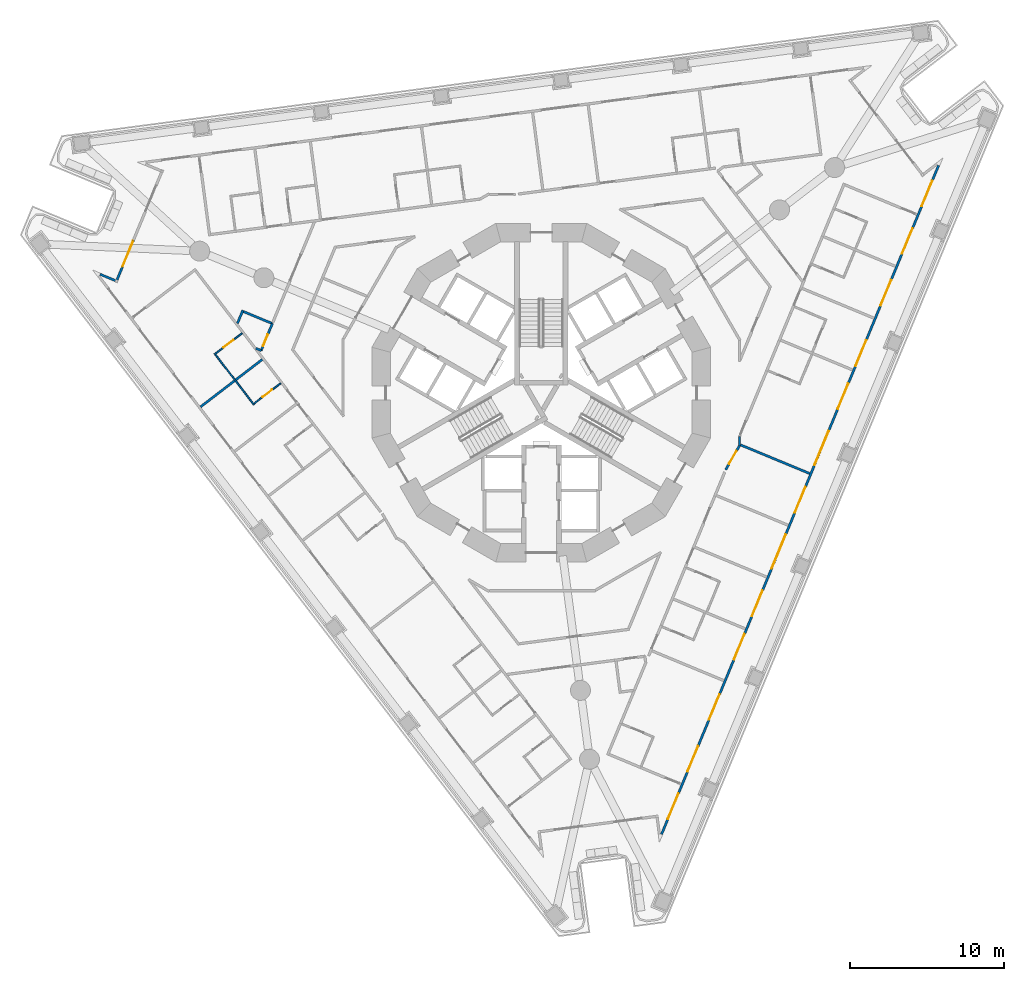
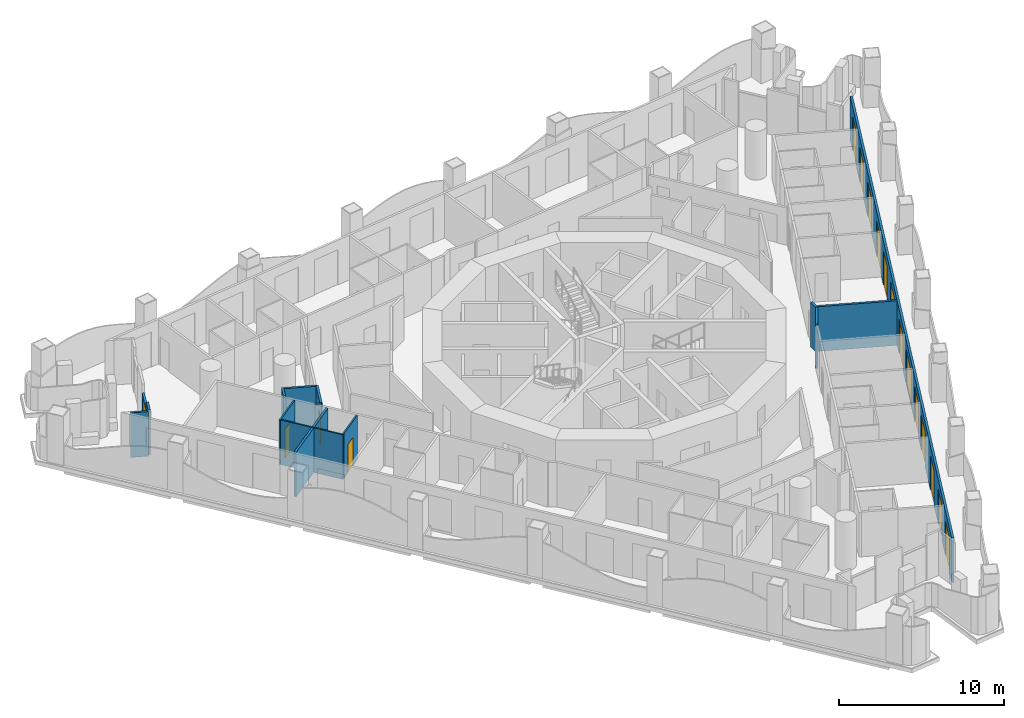
# One storey, part 5 of 19: 16 doors, 16 walls, 2 windows, 18 openings.
"""IFC4 building model written with IfcOpenShell, lengths in metres."""

from ifc_helpers import new_model, si_unit, direction, frame, frame_2d, origin, place, context, subcontext, project, spatial, polyline, rectangle, outline, extrude, material, layer, layer_set, type_object, element, fill, save


model = new_model("IFC4")

# Units and contexts
model_context = context("Model", 3, precision=1e-05, world=origin(), true_north=direction((0.0, 1.0)))
body_context = subcontext(model_context, "Body", "Model", "MODEL_VIEW")
ifc_project = project(units=[si_unit("LENGTHUNIT", "METRE"), si_unit("AREAUNIT", "SQUARE_METRE"), si_unit("VOLUMEUNIT", "CUBIC_METRE"), si_unit("PLANEANGLEUNIT", "RADIAN"), si_unit("MASSUNIT", "GRAM", prefix="KILO")], contexts=[model_context])

# Site, building, storey
site_placement = place(None, origin())
site = spatial("IfcSite", under=ifc_project, at=site_placement, CompositionType="ELEMENT")
building_placement = place(site_placement, origin())
building = spatial("IfcBuilding", under=site, at=building_placement, Name="Trine Commons Tower", CompositionType="ELEMENT")
storey_placement = place(building_placement, frame((0.0, 0.0, 61.199951171875)))
storey = spatial("IfcBuildingStorey", under=building, at=storey_placement, Name="L14", CompositionType="ELEMENT", Elevation=61.199951171875)

# Walls
ifc_material_1 = material(Name="Aluminium-framed insulated wall panel", Category="aluminium")
ifc_layer_1 = layer(ifc_material_1, 0.14990234375)
ifc_layer_set_1 = layer_set([ifc_layer_1], Name="Aluminium-framed insulated wall panel")
wall_type_1 = type_object("IfcWallType", Name="Glazed frame wall 150, EI 60", PredefinedType="SOLIDWALL", material=ifc_layer_set_1)
wall_1_placement = place(storey_placement, frame((51.175537109375, 70.256103515625, 0.0), z_axis=(0.0, 0.0, 1.0), x_axis=(0.923901801611, -0.382629665579, 0.0)))
element("IfcWall", 1, at=wall_1_placement, inside=storey, type_object=wall_type_1, Name="Glazed frame wall R1", PredefinedType="SOLIDWALL", context=body_context, shape_type="SweptSolid", body=[
    extrude(outline(polyline([(0.1494140625, 0.074951171875), (0.1494140625, -0.074951171875), (1.235107421875, -0.074951171875), (1.235107421875, 0.074951171875), (0.1494140625, 0.074951171875)])), origin(), (0.0, 0.0, 1.0), 3.300048828125),
])
wall_2_placement = place(storey_placement, frame((52.372314453125, 69.722412109375, 0.0), z_axis=(0.0, 0.0, 1.0), x_axis=(0.382603377961, 0.923912688068, 0.0)))
element("IfcWall", 2, at=wall_2_placement, inside=storey, type_object=wall_type_1, Name="Glazed frame wall P1.1", PredefinedType="SOLIDWALL", context=body_context, shape_type="SweptSolid", body=[
    extrude(outline(polyline([(0.110107421875, -0.074951171875), (1.0, -0.074951171875), (1.0, 0.074951171875), (0.110107421875, 0.074951171875), (0.110107421875, -0.074951171875)])), origin(), (0.0, 0.0, 1.0), 3.300048828125),
])

# Wall, opening, door
wall_3_placement = place(storey_placement, frame((52.7548828125, 70.646240234375, 0.0), z_axis=(0.0, 0.0, 1.0), x_axis=(0.382771661121, 0.923842982028, 0.0)))
wall_3 = element("IfcWall", 3, at=wall_3_placement, inside=storey, type_object=wall_type_1, Name="Glazed frame wall P1.2", PredefinedType="SOLIDWALL", context=body_context, shape_type="SweptSolid", body=[
    extrude(outline(polyline([(0.0, -0.074951171875), (1.89990234375, -0.074951171875), (1.89990234375, 0.074951171875), (0.0, 0.074951171875), (0.0, -0.074951171875)])), origin(), (0.0, 0.0, 1.0), 2.650146484375),
])
opening_1_placement = place(wall_3_placement, frame((0.050048828125, 0.0, 0.0)))
opening_1 = element("IfcOpeningElement", 4, at=opening_1_placement, cuts=wall_3, Name="Opening BD-2P1-01", PredefinedType="OPENING", context=body_context, shape_type="SweptSolid", body=[
    extrude(rectangle(XDim=1.800048828125, YDim=2.60009765625, at=frame_2d((0.89990234375, 1.300048828125))), frame((0.0, 0.0849609375, 0.0), z_axis=(0.0, -1.0, 0.0), x_axis=(1.0, 0.0, 0.0)), (0.0, 0.0, 1.0), 0.169921875),
])
ifc_material_2 = material(Name="Anodised aluminium frame with double glazing", Category="aluminium")
door_type_1 = type_object("IfcDoorType", Name="Sliding loggia door 1800x2600", OperationType="SLIDING_TO_LEFT", PredefinedType="DOOR", material=ifc_material_2)
door_1_placement = place(opening_1_placement, origin())
door_1 = element("IfcDoor", 5, at=door_1_placement, inside=storey, type_object=door_type_1, Name="Loggia door P1 1", OperationType="SLIDING_TO_LEFT", OverallHeight=2.60009765625, OverallWidth=1.800048828125, PredefinedType="DOOR", context=body_context, shape_type="SweptSolid", body=[
    extrude(rectangle(XDim=1.800048828125, YDim=2.60009765625, at=frame_2d((0.89990234375, 1.300048828125))), frame((0.0, 0.02490234375, 0.0), z_axis=(0.0, -1.0, 0.0), x_axis=(1.0, 0.0, 0.0)), (0.0, 0.0, 1.0), 0.050048828125),
])
fill(opening_1, door_1)

# Wall, openings, windows, doors
wall_4_placement = place(storey_placement, frame((105.888671875, 77.410888671875, 0.0), z_axis=(0.0, 0.0, 1.0), x_axis=(-0.38268395344, -0.923879316675, 0.0)))
wall_4 = element("IfcWall", 6, at=wall_4_placement, inside=storey, type_object=wall_type_1, Name="Glazed frame wall F2", PredefinedType="SOLIDWALL", context=body_context, shape_type="SweptSolid", body=[
    extrude(outline(polyline([(0.1494140625, 0.074951171875), (0.1494140625, -0.074951171875), (47.216796875, -0.074951171875), (47.216796875, 0.074951171875), (0.1494140625, 0.074951171875)])), origin(), (0.0, 0.0, 1.0), 3.300048828125),
])
opening_2_placement = place(wall_4_placement, frame((1.2216796875, 0.0, 0.0)))
opening_2 = element("IfcOpeningElement", 7, at=opening_2_placement, cuts=wall_4, Name="Opening BD-2F2-01", PredefinedType="OPENING", context=body_context, shape_type="SweptSolid", body=[
    extrude(rectangle(XDim=1.800048828125, YDim=2.60009765625, at=frame_2d((0.89990234375, 1.300048828125))), frame((0.0, 0.0849609375, 0.0), z_axis=(0.0, -1.0, 0.0), x_axis=(1.0, 0.0, 0.0)), (0.0, 0.0, 1.0), 0.169921875),
])
opening_3_placement = place(wall_4_placement, frame((4.5654296875, 0.0, 0.0)))
opening_3 = element("IfcOpeningElement", 8, at=opening_3_placement, cuts=wall_4, Name="Opening BD-2F2-02", PredefinedType="OPENING", context=body_context, shape_type="SweptSolid", body=[
    extrude(rectangle(XDim=1.800048828125, YDim=2.60009765625, at=frame_2d((0.89990234375, 1.300048828125))), frame((0.0, 0.0849609375, 0.0), z_axis=(0.0, -1.0, 0.0), x_axis=(1.0, 0.0, 0.0)), (0.0, 0.0, 1.0), 0.169921875),
])
opening_4_placement = place(wall_4_placement, frame((8.208984375, 0.0, 0.0)))
opening_4 = element("IfcOpeningElement", 9, at=opening_4_placement, cuts=wall_4, Name="Opening BD-2F2-03", PredefinedType="OPENING", context=body_context, shape_type="SweptSolid", body=[
    extrude(rectangle(XDim=1.800048828125, YDim=2.60009765625, at=frame_2d((0.89990234375, 1.300048828125))), frame((0.0, 0.0849609375, 0.0), z_axis=(0.0, -1.0, 0.0), x_axis=(1.0, 0.0, 0.0)), (0.0, 0.0, 1.0), 0.169921875),
])
opening_5_placement = place(wall_4_placement, frame((12.45263671875, 0.0, 0.0)))
opening_5 = element("IfcOpeningElement", 10, at=opening_5_placement, cuts=wall_4, Name="Opening BD-2F2-04", PredefinedType="OPENING", context=body_context, shape_type="SweptSolid", body=[
    extrude(rectangle(XDim=1.800048828125, YDim=2.60009765625, at=frame_2d((0.89990234375, 1.300048828125))), frame((0.0, 0.0849609375, 0.0), z_axis=(0.0, -1.0, 0.0), x_axis=(1.0, 0.0, 0.0)), (0.0, 0.0, 1.0), 0.169921875),
])
opening_6_placement = place(wall_4_placement, frame((15.49609375, 0.0, 0.0)))
opening_6 = element("IfcOpeningElement", 11, at=opening_6_placement, cuts=wall_4, Name="Opening BD-2F2-05", PredefinedType="OPENING", context=body_context, shape_type="SweptSolid", body=[
    extrude(rectangle(XDim=1.800048828125, YDim=2.60009765625, at=frame_2d((0.89990234375, 1.300048828125))), frame((0.0, 0.0849609375, 0.0), z_axis=(0.0, -1.0, 0.0), x_axis=(1.0, 0.0, 0.0)), (0.0, 0.0, 1.0), 0.169921875),
])
opening_7_placement = place(wall_4_placement, frame((18.83984375, 0.0, 0.14990234375)))
opening_7 = element("IfcOpeningElement", 12, at=opening_7_placement, cuts=wall_4, Name="Opening W-2F2-06", PredefinedType="OPENING", context=body_context, shape_type="SweptSolid", body=[
    extrude(rectangle(XDim=2.39990234375, YDim=2.449951171875, at=frame_2d((1.199951171875, 1.22509765625))), frame((0.0, 0.0849609375, 0.0), z_axis=(0.0, -1.0, 0.0), x_axis=(1.0, 0.0, 0.0)), (0.0, 0.0, 1.0), 0.169921875),
])
opening_8_placement = place(wall_4_placement, frame((22.783447265625, 0.0, 0.0)))
opening_8 = element("IfcOpeningElement", 13, at=opening_8_placement, cuts=wall_4, Name="Opening BD-2F2-07", PredefinedType="OPENING", context=body_context, shape_type="SweptSolid", body=[
    extrude(rectangle(XDim=1.800048828125, YDim=2.60009765625, at=frame_2d((0.89990234375, 1.300048828125))), frame((0.0, 0.0849609375, 0.0), z_axis=(0.0, -1.0, 0.0), x_axis=(1.0, 0.0, 0.0)), (0.0, 0.0, 1.0), 0.169921875),
])
opening_9_placement = place(wall_4_placement, frame((26.126953125, 0.0, 0.14990234375)))
opening_9 = element("IfcOpeningElement", 14, at=opening_9_placement, cuts=wall_4, Name="Opening W-2F2-08", PredefinedType="OPENING", context=body_context, shape_type="SweptSolid", body=[
    extrude(rectangle(XDim=2.39990234375, YDim=2.449951171875, at=frame_2d((1.199951171875, 1.22509765625))), frame((0.0, 0.0849609375, 0.0), z_axis=(0.0, -1.0, 0.0), x_axis=(1.0, 0.0, 0.0)), (0.0, 0.0, 1.0), 0.169921875),
])
opening_10_placement = place(wall_4_placement, frame((30.070556640625, 0.0, 0.0)))
opening_10 = element("IfcOpeningElement", 15, at=opening_10_placement, cuts=wall_4, Name="Opening BD-2F2-09", PredefinedType="OPENING", context=body_context, shape_type="SweptSolid", body=[
    extrude(rectangle(XDim=1.800048828125, YDim=2.60009765625, at=frame_2d((0.89990234375, 1.300048828125))), frame((0.0, 0.0849609375, 0.0), z_axis=(0.0, -1.0, 0.0), x_axis=(1.0, 0.0, 0.0)), (0.0, 0.0, 1.0), 0.169921875),
])
opening_11_placement = place(wall_4_placement, frame((33.1142578125, 0.0, 0.0)))
opening_11 = element("IfcOpeningElement", 16, at=opening_11_placement, cuts=wall_4, Name="Opening BD-2F2-10", PredefinedType="OPENING", context=body_context, shape_type="SweptSolid", body=[
    extrude(rectangle(XDim=1.800048828125, YDim=2.60009765625, at=frame_2d((0.89990234375, 1.300048828125))), frame((0.0, 0.0849609375, 0.0), z_axis=(0.0, -1.0, 0.0), x_axis=(1.0, 0.0, 0.0)), (0.0, 0.0, 1.0), 0.169921875),
])
opening_12_placement = place(wall_4_placement, frame((37.35791015625, 0.0, 0.0)))
opening_12 = element("IfcOpeningElement", 17, at=opening_12_placement, cuts=wall_4, Name="Opening BD-2F2-11", PredefinedType="OPENING", context=body_context, shape_type="SweptSolid", body=[
    extrude(rectangle(XDim=1.800048828125, YDim=2.60009765625, at=frame_2d((0.89990234375, 1.300048828125))), frame((0.0, 0.0849609375, 0.0), z_axis=(0.0, -1.0, 0.0), x_axis=(1.0, 0.0, 0.0)), (0.0, 0.0, 1.0), 0.169921875),
])
opening_13_placement = place(wall_4_placement, frame((41.00146484375, 0.0, 0.0)))
opening_13 = element("IfcOpeningElement", 18, at=opening_13_placement, cuts=wall_4, Name="Opening BD-2F2-12", PredefinedType="OPENING", context=body_context, shape_type="SweptSolid", body=[
    extrude(rectangle(XDim=1.800048828125, YDim=2.60009765625, at=frame_2d((0.89990234375, 1.300048828125))), frame((0.0, 0.0849609375, 0.0), z_axis=(0.0, -1.0, 0.0), x_axis=(1.0, 0.0, 0.0)), (0.0, 0.0, 1.0), 0.169921875),
])
opening_14_placement = place(wall_4_placement, frame((44.344970703125, 0.0, 0.0)))
opening_14 = element("IfcOpeningElement", 19, at=opening_14_placement, cuts=wall_4, Name="Opening BD-2F2-13", PredefinedType="OPENING", context=body_context, shape_type="SweptSolid", body=[
    extrude(rectangle(XDim=1.800048828125, YDim=2.60009765625, at=frame_2d((0.89990234375, 1.300048828125))), frame((0.0, 0.0849609375, 0.0), z_axis=(0.0, -1.0, 0.0), x_axis=(1.0, 0.0, 0.0)), (0.0, 0.0, 1.0), 0.169921875),
])
window_type = type_object("IfcWindowType", Name="Fixed window 2400x2450", PartitioningType="SINGLE_PANEL", PredefinedType="WINDOW", material=ifc_material_2)
window_1_placement = place(opening_7_placement, origin())
window_1 = element("IfcWindow", 20, at=window_1_placement, inside=storey, type_object=window_type, Name="Window F2 6", OverallHeight=2.449951171875, OverallWidth=2.39990234375, PartitioningType="SINGLE_PANEL", PredefinedType="WINDOW", context=body_context, shape_type="SweptSolid", body=[
    extrude(rectangle(XDim=2.39990234375, YDim=2.449951171875, at=frame_2d((1.199951171875, 1.22509765625))), frame((0.0, 0.030029296875, 0.0), z_axis=(0.0, -1.0, 0.0), x_axis=(1.0, 0.0, 0.0)), (0.0, 0.0, 1.0), 0.06005859375),
])
fill(opening_7, window_1)
window_2_placement = place(opening_9_placement, origin())
window_2 = element("IfcWindow", 21, at=window_2_placement, inside=storey, type_object=window_type, Name="Window F2 8", OverallHeight=2.449951171875, OverallWidth=2.39990234375, PartitioningType="SINGLE_PANEL", PredefinedType="WINDOW", context=body_context, shape_type="SweptSolid", body=[
    extrude(rectangle(XDim=2.39990234375, YDim=2.449951171875, at=frame_2d((1.199951171875, 1.22509765625))), frame((0.0, 0.030029296875, 0.0), z_axis=(0.0, -1.0, 0.0), x_axis=(1.0, 0.0, 0.0)), (0.0, 0.0, 1.0), 0.06005859375),
])
fill(opening_9, window_2)
door_2_placement = place(opening_2_placement, origin())
door_2 = element("IfcDoor", 22, at=door_2_placement, inside=storey, type_object=door_type_1, Name="Loggia door F2 1", OperationType="SLIDING_TO_LEFT", OverallHeight=2.60009765625, OverallWidth=1.800048828125, PredefinedType="DOOR", context=body_context, shape_type="SweptSolid", body=[
    extrude(rectangle(XDim=1.800048828125, YDim=2.60009765625, at=frame_2d((0.89990234375, 1.300048828125))), frame((0.0, 0.02490234375, 0.0), z_axis=(0.0, -1.0, 0.0), x_axis=(1.0, 0.0, 0.0)), (0.0, 0.0, 1.0), 0.050048828125),
])
fill(opening_2, door_2)
door_3_placement = place(opening_3_placement, origin())
door_3 = element("IfcDoor", 23, at=door_3_placement, inside=storey, type_object=door_type_1, Name="Loggia door F2 2", OperationType="SLIDING_TO_LEFT", OverallHeight=2.60009765625, OverallWidth=1.800048828125, PredefinedType="DOOR", context=body_context, shape_type="SweptSolid", body=[
    extrude(rectangle(XDim=1.800048828125, YDim=2.60009765625, at=frame_2d((0.89990234375, 1.300048828125))), frame((0.0, 0.02490234375, 0.0), z_axis=(0.0, -1.0, 0.0), x_axis=(1.0, 0.0, 0.0)), (0.0, 0.0, 1.0), 0.050048828125),
])
fill(opening_3, door_3)
door_4_placement = place(opening_4_placement, origin())
door_4 = element("IfcDoor", 24, at=door_4_placement, inside=storey, type_object=door_type_1, Name="Loggia door F2 3", OperationType="SLIDING_TO_LEFT", OverallHeight=2.60009765625, OverallWidth=1.800048828125, PredefinedType="DOOR", context=body_context, shape_type="SweptSolid", body=[
    extrude(rectangle(XDim=1.800048828125, YDim=2.60009765625, at=frame_2d((0.89990234375, 1.300048828125))), frame((0.0, 0.02490234375, 0.0), z_axis=(0.0, -1.0, 0.0), x_axis=(1.0, 0.0, 0.0)), (0.0, 0.0, 1.0), 0.050048828125),
])
fill(opening_4, door_4)
door_5_placement = place(opening_5_placement, origin())
door_5 = element("IfcDoor", 25, at=door_5_placement, inside=storey, type_object=door_type_1, Name="Loggia door F2 4", OperationType="SLIDING_TO_LEFT", OverallHeight=2.60009765625, OverallWidth=1.800048828125, PredefinedType="DOOR", context=body_context, shape_type="SweptSolid", body=[
    extrude(rectangle(XDim=1.800048828125, YDim=2.60009765625, at=frame_2d((0.89990234375, 1.300048828125))), frame((0.0, 0.02490234375, 0.0), z_axis=(0.0, -1.0, 0.0), x_axis=(1.0, 0.0, 0.0)), (0.0, 0.0, 1.0), 0.050048828125),
])
fill(opening_5, door_5)
door_6_placement = place(opening_6_placement, origin())
door_6 = element("IfcDoor", 26, at=door_6_placement, inside=storey, type_object=door_type_1, Name="Loggia door F2 5", OperationType="SLIDING_TO_LEFT", OverallHeight=2.60009765625, OverallWidth=1.800048828125, PredefinedType="DOOR", context=body_context, shape_type="SweptSolid", body=[
    extrude(rectangle(XDim=1.800048828125, YDim=2.60009765625, at=frame_2d((0.89990234375, 1.300048828125))), frame((0.0, 0.02490234375, 0.0), z_axis=(0.0, -1.0, 0.0), x_axis=(1.0, 0.0, 0.0)), (0.0, 0.0, 1.0), 0.050048828125),
])
fill(opening_6, door_6)
door_7_placement = place(opening_8_placement, origin())
door_7 = element("IfcDoor", 27, at=door_7_placement, inside=storey, type_object=door_type_1, Name="Loggia door F2 7", OperationType="SLIDING_TO_LEFT", OverallHeight=2.60009765625, OverallWidth=1.800048828125, PredefinedType="DOOR", context=body_context, shape_type="SweptSolid", body=[
    extrude(rectangle(XDim=1.800048828125, YDim=2.60009765625, at=frame_2d((0.89990234375, 1.300048828125))), frame((0.0, 0.02490234375, 0.0), z_axis=(0.0, -1.0, 0.0), x_axis=(1.0, 0.0, 0.0)), (0.0, 0.0, 1.0), 0.050048828125),
])
fill(opening_8, door_7)
door_8_placement = place(opening_10_placement, origin())
door_8 = element("IfcDoor", 28, at=door_8_placement, inside=storey, type_object=door_type_1, Name="Loggia door F2 9", OperationType="SLIDING_TO_LEFT", OverallHeight=2.60009765625, OverallWidth=1.800048828125, PredefinedType="DOOR", context=body_context, shape_type="SweptSolid", body=[
    extrude(rectangle(XDim=1.800048828125, YDim=2.60009765625, at=frame_2d((0.89990234375, 1.300048828125))), frame((0.0, 0.02490234375, 0.0), z_axis=(0.0, -1.0, 0.0), x_axis=(1.0, 0.0, 0.0)), (0.0, 0.0, 1.0), 0.050048828125),
])
fill(opening_10, door_8)
door_9_placement = place(opening_11_placement, origin())
door_9 = element("IfcDoor", 29, at=door_9_placement, inside=storey, type_object=door_type_1, Name="Loggia door F2 10", OperationType="SLIDING_TO_LEFT", OverallHeight=2.60009765625, OverallWidth=1.800048828125, PredefinedType="DOOR", context=body_context, shape_type="SweptSolid", body=[
    extrude(rectangle(XDim=1.800048828125, YDim=2.60009765625, at=frame_2d((0.89990234375, 1.300048828125))), frame((0.0, 0.02490234375, 0.0), z_axis=(0.0, -1.0, 0.0), x_axis=(1.0, 0.0, 0.0)), (0.0, 0.0, 1.0), 0.050048828125),
])
fill(opening_11, door_9)
door_10_placement = place(opening_12_placement, origin())
door_10 = element("IfcDoor", 30, at=door_10_placement, inside=storey, type_object=door_type_1, Name="Loggia door F2 11", OperationType="SLIDING_TO_LEFT", OverallHeight=2.60009765625, OverallWidth=1.800048828125, PredefinedType="DOOR", context=body_context, shape_type="SweptSolid", body=[
    extrude(rectangle(XDim=1.800048828125, YDim=2.60009765625, at=frame_2d((0.89990234375, 1.300048828125))), frame((0.0, 0.02490234375, 0.0), z_axis=(0.0, -1.0, 0.0), x_axis=(1.0, 0.0, 0.0)), (0.0, 0.0, 1.0), 0.050048828125),
])
fill(opening_12, door_10)
door_11_placement = place(opening_13_placement, origin())
door_11 = element("IfcDoor", 31, at=door_11_placement, inside=storey, type_object=door_type_1, Name="Loggia door F2 12", OperationType="SLIDING_TO_LEFT", OverallHeight=2.60009765625, OverallWidth=1.800048828125, PredefinedType="DOOR", context=body_context, shape_type="SweptSolid", body=[
    extrude(rectangle(XDim=1.800048828125, YDim=2.60009765625, at=frame_2d((0.89990234375, 1.300048828125))), frame((0.0, 0.02490234375, 0.0), z_axis=(0.0, -1.0, 0.0), x_axis=(1.0, 0.0, 0.0)), (0.0, 0.0, 1.0), 0.050048828125),
])
fill(opening_13, door_11)
door_12_placement = place(opening_14_placement, origin())
door_12 = element("IfcDoor", 32, at=door_12_placement, inside=storey, type_object=door_type_1, Name="Loggia door F2 13", OperationType="SLIDING_TO_LEFT", OverallHeight=2.60009765625, OverallWidth=1.800048828125, PredefinedType="DOOR", context=body_context, shape_type="SweptSolid", body=[
    extrude(rectangle(XDim=1.800048828125, YDim=2.60009765625, at=frame_2d((0.89990234375, 1.300048828125))), frame((0.0, 0.02490234375, 0.0), z_axis=(0.0, -1.0, 0.0), x_axis=(1.0, 0.0, 0.0)), (0.0, 0.0, 1.0), 0.050048828125),
])
fill(opening_14, door_12)

# Walls
ifc_material_3 = material(Name="Gypsum plasterboard on steel stud", Category="steel")
ifc_layer_2 = layer(ifc_material_3, 0.14990234375)
ifc_layer_set_2 = layer_set([ifc_layer_2], Name="Gypsum plasterboard on steel stud")
wall_type_2 = type_object("IfcWallType", Name="Unit and corridor wall 150 mm, EI 60", PredefinedType="PARTITIONING", material=ifc_layer_set_2)
wall_5_placement = place(storey_placement, frame((57.84765625, 61.576416015625, 0.0), z_axis=(0.0, 0.0, 1.0), x_axis=(0.793280814045, 0.608855935397, 0.0)))
element("IfcWall", 33, at=wall_5_placement, inside=storey, type_object=wall_type_2, Name="Partition 004", PredefinedType="PARTITIONING", context=body_context, shape_type="SweptSolid", body=[
    extrude(rectangle(XDim=2.789306640625, YDim=0.14990234375, at=frame_2d((1.39453125, 0.0))), origin(), (0.0, 0.0, 1.0), 3.300048828125),
])
wall_6_placement = place(storey_placement, frame((60.1396484375, 63.33544921875, 0.0), z_axis=(0.0, 0.0, 1.0), x_axis=(0.79342025342, 0.608674216197, 0.0)))
element("IfcWall", 34, at=wall_6_placement, inside=storey, type_object=wall_type_2, Name="Partition 011", PredefinedType="PARTITIONING", context=body_context, shape_type="SweptSolid", body=[
    extrude(rectangle(XDim=2.17529296875, YDim=0.14990234375, at=frame_2d((1.087646484375, 0.0))), origin(), (0.0, 0.0, 1.0), 3.300048828125),
])
wall_7_placement = place(storey_placement, frame((60.24560546875, 67.000244140625, 0.0), z_axis=(0.0, 0.0, 1.0), x_axis=(0.383080061035, 0.923715143774, 0.0)))
element("IfcWall", 35, at=wall_7_placement, inside=storey, type_object=wall_type_2, Name="Partition 013", PredefinedType="PARTITIONING", context=body_context, shape_type="SweptSolid", body=[
    extrude(rectangle(XDim=0.9375, YDim=0.14990234375, at=frame_2d((0.46875, 0.0))), origin(), (0.0, 0.0, 1.0), 3.300048828125),
])
wall_8_placement = place(storey_placement, frame((60.645263671875, 67.768310546875, 0.0), z_axis=(0.0, 0.0, 1.0), x_axis=(0.923799320148, -0.382877024767, 0.0)))
element("IfcWall", 36, at=wall_8_placement, inside=storey, type_object=wall_type_2, Name="Partition 014", PredefinedType="PARTITIONING", context=body_context, shape_type="SweptSolid", body=[
    extrude(rectangle(XDim=2.025146484375, YDim=0.14990234375, at=frame_2d((1.0126953125, 0.0))), origin(), (0.0, 0.0, 1.0), 3.300048828125),
])
wall_9_placement = place(storey_placement, frame((61.43896484375, 65.38330078125, 0.0), z_axis=(0.0, 0.0, 1.0), x_axis=(0.923599819829, -0.383358021714, 0.0)))
element("IfcWall", 37, at=wall_9_placement, inside=storey, type_object=wall_type_2, Name="Partition 017", PredefinedType="PARTITIONING", context=body_context, shape_type="SweptSolid", body=[
    extrude(rectangle(XDim=0.39990234375, YDim=0.14990234375, at=frame_2d((0.199951171875, 0.0))), origin(), (0.0, 0.0, 1.0), 3.300048828125),
])

# Wall, opening, door
wall_10_placement = place(storey_placement, frame((61.787109375, 65.23388671875, 0.0), z_axis=(0.0, 0.0, 1.0), x_axis=(0.38314285934, 0.923689097769, 0.0)))
wall_10 = element("IfcWall", 38, at=wall_10_placement, inside=storey, type_object=wall_type_2, Name="Partition 019", PredefinedType="PARTITIONING", context=body_context, shape_type="SweptSolid", body=[
    extrude(rectangle(XDim=1.90771484375, YDim=0.14990234375, at=frame_2d((0.953857421875, 0.0))), origin(), (0.0, 0.0, 1.0), 3.300048828125),
])
opening_15_placement = place(wall_10_placement, frame((0.328125, 0.0, 0.0)))
opening_15 = element("IfcOpeningElement", 39, at=opening_15_placement, cuts=wall_10, Name="Opening D-2B06", PredefinedType="OPENING", context=body_context, shape_type="SweptSolid", body=[
    extrude(rectangle(XDim=0.800048828125, YDim=2.10009765625, at=frame_2d((0.39990234375, 1.050048828125))), frame((0.0, 0.0849609375, 0.0), z_axis=(0.0, -1.0, 0.0), x_axis=(1.0, 0.0, 0.0)), (0.0, 0.0, 1.0), 0.169921875),
])
ifc_material_4 = material(Name="Painted timber", Category="wood")
door_type_2 = type_object("IfcDoorType", Name="Toilet door 800 x 2100, NOT RATED", OperationType="NOTDEFINED", PredefinedType="DOOR", material=ifc_material_4)
door_13_placement = place(opening_15_placement, origin())
door_13 = element("IfcDoor", 40, at=door_13_placement, inside=storey, type_object=door_type_2, Name="Door D-2B06", OperationType="SINGLE_SWING_LEFT", OverallHeight=2.10009765625, OverallWidth=0.800048828125, PredefinedType="DOOR", context=body_context, shape_type="SweptSolid", body=[
    extrude(rectangle(XDim=0.800048828125, YDim=2.10009765625, at=frame_2d((0.39990234375, 1.050048828125))), frame((0.0, 0.02490234375, 0.0), z_axis=(0.0, -1.0, 0.0), x_axis=(1.0, 0.0, 0.0)), (0.0, 0.0, 1.0), 0.050048828125),
])
fill(opening_15, door_13)

wall_11_placement = place(storey_placement, frame((91.988037109375, 57.490966796875, 0.0), z_axis=(0.0, 0.0, 1.0), x_axis=(0.500200642588, 0.865909531738, 0.0)))
wall_11 = element("IfcWall", 41, at=wall_11_placement, inside=storey, type_object=wall_type_2, Name="Partition 126", PredefinedType="PARTITIONING", context=body_context, shape_type="SweptSolid", body=[
    extrude(rectangle(XDim=1.797119140625, YDim=0.14990234375, at=frame_2d((0.8984375, 0.0))), origin(), (0.0, 0.0, 1.0), 3.300048828125),
])
opening_16_placement = place(wall_11_placement, frame((0.418701171875, 0.0, 0.0)))
opening_16 = element("IfcOpeningElement", 42, at=opening_16_placement, cuts=wall_11, Name="Opening D-2B18", PredefinedType="OPENING", context=body_context, shape_type="SweptSolid", body=[
    extrude(rectangle(XDim=1.0, YDim=2.10009765625, at=frame_2d((0.5, 1.050048828125))), frame((0.0, 0.0849609375, 0.0), z_axis=(0.0, -1.0, 0.0), x_axis=(1.0, 0.0, 0.0)), (0.0, 0.0, 1.0), 0.169921875),
])
door_type_3 = type_object("IfcDoorType", Name="Amenity room door 1000 x 2100, NOT RATED", OperationType="NOTDEFINED", PredefinedType="DOOR", material=ifc_material_4)
door_14_placement = place(opening_16_placement, frame((1.0, 0.0, 0.0), z_axis=(0.0, 0.0, 1.0), x_axis=(-1.0, 0.0, 0.0)))
door_14 = element("IfcDoor", 43, at=door_14_placement, inside=storey, type_object=door_type_3, Name="Door D-2B18", OperationType="SINGLE_SWING_LEFT", OverallHeight=2.10009765625, OverallWidth=1.0, PredefinedType="DOOR", context=body_context, shape_type="SweptSolid", body=[
    extrude(rectangle(XDim=1.0, YDim=2.10009765625, at=frame_2d((0.5, 1.050048828125))), frame((0.0, 0.02490234375, 0.0), z_axis=(0.0, -1.0, 0.0), x_axis=(1.0, 0.0, 0.0)), (0.0, 0.0, 1.0), 0.050048828125),
])
fill(opening_16, door_14)

# Walls
wall_12_placement = place(storey_placement, frame((92.886962890625, 59.053955078125, 0.0), z_axis=(0.0, 0.0, 1.0), x_axis=(0.0, 1.0, 0.0)))
element("IfcWall", 44, at=wall_12_placement, inside=storey, type_object=wall_type_2, Name="Partition 129", PredefinedType="PARTITIONING", context=body_context, shape_type="SweptSolid", body=[
    extrude(rectangle(XDim=0.60400390625, YDim=0.14990234375, at=frame_2d((0.302001953125, 0.0))), origin(), (0.0, 0.0, 1.0), 3.300048828125),
])
wall_13_placement = place(storey_placement, frame((92.956298828125, 59.105224609375, 0.0), z_axis=(0.0, 0.0, 1.0), x_axis=(0.923843801062, -0.382769684325, 0.0)))
element("IfcWall", 45, at=wall_13_placement, inside=storey, type_object=wall_type_2, Name="Partition 130", PredefinedType="PARTITIONING", context=body_context, shape_type="SweptSolid", body=[
    extrude(rectangle(XDim=4.8671875, YDim=0.14990234375, at=frame_2d((2.43359375, 0.0))), origin(), (0.0, 0.0, 1.0), 3.300048828125),
])

# Wall, opening, door
ifc_layer_3 = layer(ifc_material_3, 0.10009765625)
ifc_layer_set_3 = layer_set([ifc_layer_3], Name="Gypsum plasterboard on steel stud")
wall_type_3 = type_object("IfcWallType", Name="Unit partition 100 mm, no rating", PredefinedType="PARTITIONING", material=ifc_layer_set_3)
wall_14_placement = place(storey_placement, frame((58.751220703125, 64.980712890625, 0.0), z_axis=(0.0, 0.0, 1.0), x_axis=(0.793437070432, 0.608652294224, 0.0)))
wall_14 = element("IfcWall", 46, at=wall_14_placement, inside=storey, type_object=wall_type_3, Name="Partition 006", PredefinedType="PARTITIONING", context=body_context, shape_type="SweptSolid", body=[
    extrude(rectangle(XDim=2.275146484375, YDim=0.10009765625, at=frame_2d((1.1376953125, 0.0))), origin(), (0.0, 0.0, 1.0), 3.300048828125),
])
opening_17_placement = place(wall_14_placement, frame((0.762451171875, 0.0, 0.0)))
opening_17 = element("IfcOpeningElement", 47, at=opening_17_placement, cuts=wall_14, Name="Opening D-2B57", PredefinedType="OPENING", context=body_context, shape_type="SweptSolid", body=[
    extrude(rectangle(XDim=0.800048828125, YDim=2.10009765625, at=frame_2d((0.39990234375, 1.050048828125))), frame((0.0, 0.06005859375, 0.0), z_axis=(0.0, -1.0, 0.0), x_axis=(1.0, 0.0, 0.0)), (0.0, 0.0, 1.0), 0.1201171875),
])
door_type_4 = type_object("IfcDoorType", Name="Internal door 800 x 2100, NOT RATED", OperationType="NOTDEFINED", PredefinedType="DOOR", material=ifc_material_4)
door_15_placement = place(opening_17_placement, origin())
door_15 = element("IfcDoor", 48, at=door_15_placement, inside=storey, type_object=door_type_4, Name="Door D-2B57", OperationType="SINGLE_SWING_RIGHT", OverallHeight=2.10009765625, OverallWidth=0.800048828125, PredefinedType="DOOR", context=body_context, shape_type="SweptSolid", body=[
    extrude(rectangle(XDim=0.800048828125, YDim=2.10009765625, at=frame_2d((0.39990234375, 1.050048828125))), frame((0.0, 0.02490234375, 0.0), z_axis=(0.0, -1.0, 0.0), x_axis=(1.0, 0.0, 0.0)), (0.0, 0.0, 1.0), 0.050048828125),
])
fill(opening_17, door_15)

# Wall
wall_15_placement = place(storey_placement, frame((58.8212890625, 64.97119140625, 0.0), z_axis=(0.0, 0.0, 1.0), x_axis=(0.608766496324, -0.793349451978, 0.0)))
element("IfcWall", 49, at=wall_15_placement, inside=storey, type_object=wall_type_3, Name="Partition 007", PredefinedType="PARTITIONING", context=body_context, shape_type="SweptSolid", body=[
    extrude(rectangle(XDim=4.100341796875, YDim=0.10009765625, at=frame_2d((2.05029296875, 0.0))), origin(), (0.0, 0.0, 1.0), 3.300048828125),
])

# Wall, opening, door
wall_16_placement = place(storey_placement, frame((61.32666015625, 61.788330078125, 0.0), z_axis=(0.0, 0.0, 1.0), x_axis=(0.79342025342, 0.608674216197, 0.0)))
wall_16 = element("IfcWall", 50, at=wall_16_placement, inside=storey, type_object=wall_type_3, Name="Partition 015", PredefinedType="PARTITIONING", context=body_context, shape_type="SweptSolid", body=[
    extrude(rectangle(XDim=2.17529296875, YDim=0.10009765625, at=frame_2d((1.087646484375, 0.0))), origin(), (0.0, 0.0, 1.0), 3.300048828125),
])
opening_18_placement = place(wall_16_placement, frame((0.6875, 0.0, 0.0)))
opening_18 = element("IfcOpeningElement", 51, at=opening_18_placement, cuts=wall_16, Name="Opening D-2B56", PredefinedType="OPENING", context=body_context, shape_type="SweptSolid", body=[
    extrude(rectangle(XDim=0.800048828125, YDim=2.10009765625, at=frame_2d((0.39990234375, 1.050048828125))), frame((0.0, 0.06005859375, 0.0), z_axis=(0.0, -1.0, 0.0), x_axis=(1.0, 0.0, 0.0)), (0.0, 0.0, 1.0), 0.1201171875),
])
door_16_placement = place(opening_18_placement, frame((0.800048828125, 0.0, 0.0), z_axis=(0.0, 0.0, 1.0), x_axis=(-1.0, 0.0, 0.0)))
door_16 = element("IfcDoor", 52, at=door_16_placement, inside=storey, type_object=door_type_4, Name="Door D-2B56", OperationType="SINGLE_SWING_LEFT", OverallHeight=2.10009765625, OverallWidth=0.800048828125, PredefinedType="DOOR", context=body_context, shape_type="SweptSolid", body=[
    extrude(rectangle(XDim=0.800048828125, YDim=2.10009765625, at=frame_2d((0.39990234375, 1.050048828125))), frame((0.0, 0.02490234375, 0.0), z_axis=(0.0, -1.0, 0.0), x_axis=(1.0, 0.0, 0.0)), (0.0, 0.0, 1.0), 0.050048828125),
])
fill(opening_18, door_16)

save(model, "model.ifc")
